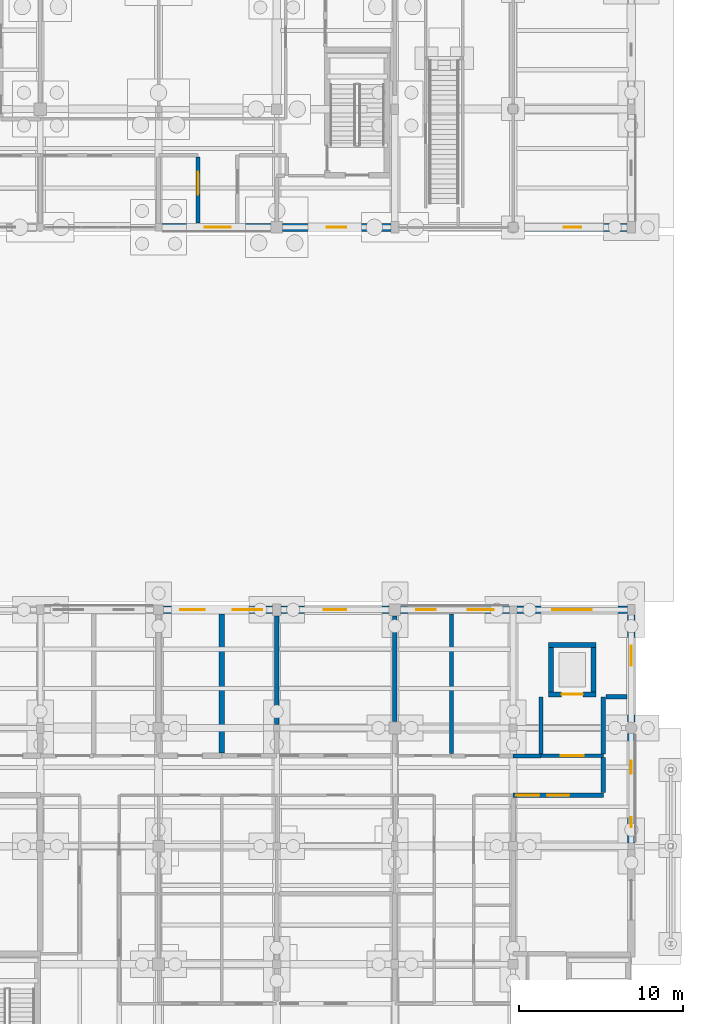
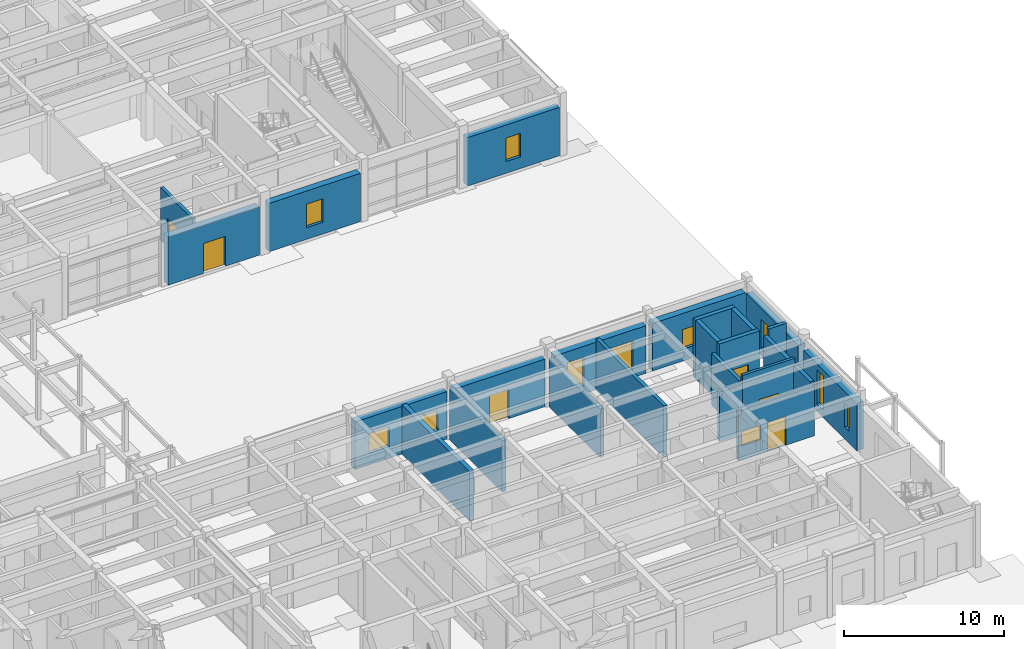
# One storey, part 119 of 143: 25 walls, 11 windows, 6 doors, 17 openings.
"""IFC4 building model written with IfcOpenShell, lengths in metres."""

from ifc_helpers import new_model, si_unit, direction, frame, frame_2d, origin, place, context, subcontext, project, spatial, rectangle, extrude, material, layer, layer_set, type_object, element, fill, save


model = new_model("IFC4")

# Units and contexts
model_context = context("Model", 3, precision=1e-05, world=origin(), true_north=direction((0.0, 1.0)))
body_context = subcontext(model_context, "Body", "Model", "MODEL_VIEW")
ifc_project = project(units=[si_unit("LENGTHUNIT", "METRE"), si_unit("AREAUNIT", "SQUARE_METRE"), si_unit("VOLUMEUNIT", "CUBIC_METRE"), si_unit("PLANEANGLEUNIT", "RADIAN"), si_unit("MASSUNIT", "GRAM", prefix="KILO")], contexts=[model_context])

# Site, building, storey
site_placement = place(None, origin())
site = spatial("IfcSite", under=ifc_project, at=site_placement, CompositionType="ELEMENT")
building_placement = place(site_placement, origin())
building = spatial("IfcBuilding", under=site, at=building_placement, Name="Steenspoor Specialist Clinic", CompositionType="ELEMENT")
storey_placement = place(building_placement, origin())
storey = spatial("IfcBuildingStorey", under=building, at=storey_placement, Name="L00", CompositionType="ELEMENT", Elevation=0.0)

# Wall, openings, windows
ifc_material_1 = material(Name="Volcanic basalt ashlar masonry", Category="masonry")
ifc_layer_1 = layer(ifc_material_1, 0.47998046875)
ifc_layer_set_1 = layer_set([ifc_layer_1], Name="Volcanic basalt ashlar masonry")
wall_type_1 = type_object("IfcWallType", Name="W-BASALT-480", PredefinedType="SOLIDWALL", material=ifc_layer_set_1)
wall_1_placement = place(storey_placement, frame((132.699951171875, 41.85009765625, 0.0), z_axis=(0.0, 0.0, 1.0), x_axis=(1.0, 0.0, 0.0)))
wall_1 = element("IfcWall", 1, at=wall_1_placement, inside=storey, type_object=wall_type_1, Name="Exterior Brick Wall EW-V2-L00-0049", PredefinedType="SOLIDWALL", context=body_context, shape_type="SweptSolid", body=[
    extrude(rectangle(XDim=6.650146484375, YDim=0.47998046875, at=frame_2d((3.3251953125, 0.0))), origin(), (0.0, 0.0, 1.0), 3.639892578125),
])
opening_1_placement = place(wall_1_placement, frame((1.014892578125, 0.0, 0.89990234375)))
opening_1 = element("IfcOpeningElement", 2, at=opening_1_placement, cuts=wall_1, Name="Opening WN-12", PredefinedType="OPENING", context=body_context, shape_type="SweptSolid", body=[
    extrude(rectangle(XDim=1.5, YDim=1.5, at=frame_2d((0.75, 0.75))), frame((0.0, 0.25, 0.0), z_axis=(0.0, -1.0, 0.0), x_axis=(1.0, 0.0, 0.0)), (0.0, 0.0, 1.0), 0.5),
])
opening_2_placement = place(wall_1_placement, frame((4.2099609375, 0.0, 0.89990234375)))
opening_2 = element("IfcOpeningElement", 3, at=opening_2_placement, cuts=wall_1, Name="Opening WN-13", PredefinedType="OPENING", context=body_context, shape_type="SweptSolid", body=[
    extrude(rectangle(XDim=1.800048828125, YDim=1.5, at=frame_2d((0.89990234375, 0.75))), frame((0.0, 0.25, 0.0), z_axis=(0.0, -1.0, 0.0), x_axis=(1.0, 0.0, 0.0)), (0.0, 0.0, 1.0), 0.5),
])
ifc_material_2 = material(Name="Thermally broken aluminium and low-emissivity glass", Category="aluminium")
window_type_1 = type_object("IfcWindowType", Name="WN-EXT-150X150", PartitioningType="SINGLE_PANEL", PredefinedType="WINDOW", material=ifc_material_2)
window_1_placement = place(opening_1_placement, origin())
window_1 = element("IfcWindow", 4, at=window_1_placement, inside=storey, type_object=window_type_1, Name="Window 0058", OverallHeight=1.5, OverallWidth=1.5, PartitioningType="SINGLE_PANEL", PredefinedType="WINDOW", context=body_context, shape_type="SweptSolid", body=[
    extrude(rectangle(XDim=1.5, YDim=1.5, at=frame_2d((0.75, 0.75))), frame((0.0, 0.030029296875, 0.0), z_axis=(0.0, -1.0, 0.0), x_axis=(1.0, 0.0, 0.0)), (0.0, 0.0, 1.0), 0.06005859375),
])
fill(opening_1, window_1)
window_type_2 = type_object("IfcWindowType", Name="WN-EXT-180X150", PartitioningType="SINGLE_PANEL", PredefinedType="WINDOW", material=ifc_material_2)
window_2_placement = place(opening_2_placement, origin())
window_2 = element("IfcWindow", 5, at=window_2_placement, inside=storey, type_object=window_type_2, Name="Window 0059", OverallHeight=1.5, OverallWidth=1.800048828125, PartitioningType="SINGLE_PANEL", PredefinedType="WINDOW", context=body_context, shape_type="SweptSolid", body=[
    extrude(rectangle(XDim=1.800048828125, YDim=1.5, at=frame_2d((0.89990234375, 0.75))), frame((0.0, 0.030029296875, 0.0), z_axis=(0.0, -1.0, 0.0), x_axis=(1.0, 0.0, 0.0)), (0.0, 0.0, 1.0), 0.06005859375),
])
fill(opening_2, window_2)

# Wall, opening, door
wall_2_placement = place(storey_placement, frame((139.85009765625, 41.85009765625, 0.0), z_axis=(0.0, 0.0, 1.0), x_axis=(1.0, 0.0, 0.0)))
wall_2 = element("IfcWall", 6, at=wall_2_placement, inside=storey, type_object=wall_type_1, Name="Exterior Brick Wall EW-V2-L00-0050", PredefinedType="SOLIDWALL", context=body_context, shape_type="SweptSolid", body=[
    extrude(rectangle(XDim=6.599853515625, YDim=0.47998046875, at=frame_2d((3.2998046875, 0.0))), origin(), (0.0, 0.0, 1.0), 3.639892578125),
])
opening_3_placement = place(wall_2_placement, frame((2.60009765625, 0.0, 0.0)))
opening_3 = element("IfcOpeningElement", 7, at=opening_3_placement, cuts=wall_2, Name="Opening ED15", PredefinedType="OPENING", context=body_context, shape_type="SweptSolid", body=[
    extrude(rectangle(XDim=1.39990234375, YDim=2.25, at=frame_2d((0.699951171875, 1.125))), frame((0.0, 0.25, 0.0), z_axis=(0.0, -1.0, 0.0), x_axis=(1.0, 0.0, 0.0)), (0.0, 0.0, 1.0), 0.5),
])
ifc_material_3 = material(Name="Painted galvanised steel door", Category="steel")
door_type_1 = type_object("IfcDoorType", Name="DT-EXIT-140X225", OperationType="NOTDEFINED", PredefinedType="DOOR", material=ifc_material_3)
door_1_placement = place(opening_3_placement, origin())
door_1 = element("IfcDoor", 8, at=door_1_placement, inside=storey, type_object=door_type_1, Name="Main Pedestrian Entrance Exit ED15", OperationType="SINGLE_SWING_RIGHT", OverallHeight=2.25, OverallWidth=1.39990234375, PredefinedType="DOOR", context=body_context, shape_type="SweptSolid", body=[
    extrude(rectangle(XDim=1.39990234375, YDim=2.25, at=frame_2d((0.699951171875, 1.125))), frame((0.0, 0.02490234375, 0.0), z_axis=(0.0, -1.0, 0.0), x_axis=(1.0, 0.0, 0.0)), (0.0, 0.0, 1.0), 0.050048828125),
])
fill(opening_3, door_1)

# Wall, openings, windows
wall_3_placement = place(storey_placement, frame((147.14990234375, 41.85009765625, 0.0), z_axis=(0.0, 0.0, 1.0), x_axis=(1.0, 0.0, 0.0)))
wall_3 = element("IfcWall", 9, at=wall_3_placement, inside=storey, type_object=wall_type_1, Name="Exterior Brick Wall EW-V2-L00-0051", PredefinedType="SOLIDWALL", context=body_context, shape_type="SweptSolid", body=[
    extrude(rectangle(XDim=6.625, YDim=0.47998046875, at=frame_2d((3.3125, 0.0))), origin(), (0.0, 0.0, 1.0), 3.639892578125),
])
opening_4_placement = place(wall_3_placement, frame((0.93994140625, 0.0, 0.60009765625)))
opening_4 = element("IfcOpeningElement", 10, at=opening_4_placement, cuts=wall_3, Name="Opening WN-15", PredefinedType="OPENING", context=body_context, shape_type="SweptSolid", body=[
    extrude(rectangle(XDim=1.199951171875, YDim=2.199951171875, at=frame_2d((0.60009765625, 1.10009765625))), frame((0.0, 0.25, 0.0), z_axis=(0.0, -1.0, 0.0), x_axis=(1.0, 0.0, 0.0)), (0.0, 0.0, 1.0), 0.5),
])
opening_5_placement = place(wall_3_placement, frame((4.072509765625, 0.0, 0.60009765625)))
opening_5 = element("IfcOpeningElement", 11, at=opening_5_placement, cuts=wall_3, Name="Opening WN-16", PredefinedType="OPENING", context=body_context, shape_type="SweptSolid", body=[
    extrude(rectangle(XDim=1.60009765625, YDim=2.199951171875, at=frame_2d((0.800048828125, 1.10009765625))), frame((0.0, 0.25, 0.0), z_axis=(0.0, -1.0, 0.0), x_axis=(1.0, 0.0, 0.0)), (0.0, 0.0, 1.0), 0.5),
])
window_type_3 = type_object("IfcWindowType", Name="WN-EXT-120X220", PartitioningType="SINGLE_PANEL", PredefinedType="WINDOW", material=ifc_material_2)
window_3_placement = place(opening_4_placement, origin())
window_3 = element("IfcWindow", 12, at=window_3_placement, inside=storey, type_object=window_type_3, Name="Window 0060", OverallHeight=2.199951171875, OverallWidth=1.199951171875, PartitioningType="SINGLE_PANEL", PredefinedType="WINDOW", context=body_context, shape_type="SweptSolid", body=[
    extrude(rectangle(XDim=1.199951171875, YDim=2.199951171875, at=frame_2d((0.60009765625, 1.10009765625))), frame((0.0, 0.030029296875, 0.0), z_axis=(0.0, -1.0, 0.0), x_axis=(1.0, 0.0, 0.0)), (0.0, 0.0, 1.0), 0.06005859375),
])
fill(opening_4, window_3)
window_type_4 = type_object("IfcWindowType", Name="WN-EXT-160X220", PartitioningType="SINGLE_PANEL", PredefinedType="WINDOW", material=ifc_material_2)
window_4_placement = place(opening_5_placement, origin())
window_4 = element("IfcWindow", 13, at=window_4_placement, inside=storey, type_object=window_type_4, Name="Window 0061", OverallHeight=2.199951171875, OverallWidth=1.60009765625, PartitioningType="SINGLE_PANEL", PredefinedType="WINDOW", context=body_context, shape_type="SweptSolid", body=[
    extrude(rectangle(XDim=1.60009765625, YDim=2.199951171875, at=frame_2d((0.800048828125, 1.10009765625))), frame((0.0, 0.030029296875, 0.0), z_axis=(0.0, -1.0, 0.0), x_axis=(1.0, 0.0, 0.0)), (0.0, 0.0, 1.0), 0.06005859375),
])
fill(opening_5, window_4)

# Wall, opening, window
wall_4_placement = place(storey_placement, frame((154.22509765625, 41.85009765625, 0.0), z_axis=(0.0, 0.0, 1.0), x_axis=(1.0, 0.0, 0.0)))
wall_4 = element("IfcWall", 14, at=wall_4_placement, inside=storey, type_object=wall_type_1, Name="Exterior Brick Wall EW-V2-L00-0052", PredefinedType="SOLIDWALL", context=body_context, shape_type="SweptSolid", body=[
    extrude(rectangle(XDim=6.75, YDim=0.47998046875, at=frame_2d((3.375, 0.0))), origin(), (0.0, 0.0, 1.0), 3.639892578125),
])
opening_6_placement = place(wall_4_placement, frame((2.175048828125, 0.0, 0.89990234375)))
opening_6 = element("IfcOpeningElement", 15, at=opening_6_placement, cuts=wall_4, Name="Opening WN-14", PredefinedType="OPENING", context=body_context, shape_type="SweptSolid", body=[
    extrude(rectangle(XDim=2.39990234375, YDim=1.5, at=frame_2d((1.199951171875, 0.75))), frame((0.0, 0.25, 0.0), z_axis=(0.0, -1.0, 0.0), x_axis=(1.0, 0.0, 0.0)), (0.0, 0.0, 1.0), 0.5),
])
window_type_5 = type_object("IfcWindowType", Name="WN-EXT-240X150", PartitioningType="SINGLE_PANEL", PredefinedType="WINDOW", material=ifc_material_2)
window_5_placement = place(opening_6_placement, origin())
window_5 = element("IfcWindow", 16, at=window_5_placement, inside=storey, type_object=window_type_5, Name="Window 0062", OverallHeight=1.5, OverallWidth=2.39990234375, PartitioningType="SINGLE_PANEL", PredefinedType="WINDOW", context=body_context, shape_type="SweptSolid", body=[
    extrude(rectangle(XDim=2.39990234375, YDim=1.5, at=frame_2d((1.199951171875, 0.75))), frame((0.0, 0.030029296875, 0.0), z_axis=(0.0, -1.0, 0.0), x_axis=(1.0, 0.0, 0.0)), (0.0, 0.0, 1.0), 0.06005859375),
])
fill(opening_6, window_5)

wall_5_placement = place(storey_placement, frame((161.199951171875, 41.52490234375, 0.0), z_axis=(0.0, 0.0, 1.0), x_axis=(0.0, -1.0, 0.0)))
wall_5 = element("IfcWall", 17, at=wall_5_placement, inside=storey, type_object=wall_type_1, Name="Exterior Brick Wall EW-V2-L00-0053", PredefinedType="SOLIDWALL", context=body_context, shape_type="SweptSolid", body=[
    extrude(rectangle(XDim=6.52490234375, YDim=0.47998046875, at=frame_2d((3.262451171875, 0.0))), origin(), (0.0, 0.0, 1.0), 3.639892578125),
])
opening_7_placement = place(wall_5_placement, frame((1.87744140625, 0.0, 0.60009765625)))
opening_7 = element("IfcOpeningElement", 18, at=opening_7_placement, cuts=wall_5, Name="Opening WN-15", PredefinedType="OPENING", context=body_context, shape_type="SweptSolid", body=[
    extrude(rectangle(XDim=1.199951171875, YDim=2.199951171875, at=frame_2d((0.60009765625, 1.10009765625))), frame((0.0, 0.25, 0.0), z_axis=(0.0, -1.0, 0.0), x_axis=(1.0, 0.0, 0.0)), (0.0, 0.0, 1.0), 0.5),
])
window_6_placement = place(opening_7_placement, origin())
window_6 = element("IfcWindow", 19, at=window_6_placement, inside=storey, type_object=window_type_3, Name="Window 0063", OverallHeight=2.199951171875, OverallWidth=1.199951171875, PartitioningType="SINGLE_PANEL", PredefinedType="WINDOW", context=body_context, shape_type="SweptSolid", body=[
    extrude(rectangle(XDim=1.199951171875, YDim=2.199951171875, at=frame_2d((0.60009765625, 1.10009765625))), frame((0.0, 0.030029296875, 0.0), z_axis=(0.0, -1.0, 0.0), x_axis=(1.0, 0.0, 0.0)), (0.0, 0.0, 1.0), 0.06005859375),
])
fill(opening_7, window_6)

# Wall, openings, windows
wall_6_placement = place(storey_placement, frame((161.199951171875, 34.300048828125, 0.0), z_axis=(0.0, 0.0, 1.0), x_axis=(0.0, -1.0, 0.0)))
wall_6 = element("IfcWall", 20, at=wall_6_placement, inside=storey, type_object=wall_type_1, Name="Exterior Brick Wall EW-V2-L00-0054", PredefinedType="SOLIDWALL", context=body_context, shape_type="SweptSolid", body=[
    extrude(rectangle(XDim=6.650146484375, YDim=0.47998046875, at=frame_2d((3.3251953125, 0.0))), origin(), (0.0, 0.0, 1.0), 3.639892578125),
])
opening_8_placement = place(wall_6_placement, frame((1.64990234375, 0.0, 0.60009765625)))
opening_8 = element("IfcOpeningElement", 21, at=opening_8_placement, cuts=wall_6, Name="Opening WN-24", PredefinedType="OPENING", context=body_context, shape_type="SweptSolid", body=[
    extrude(rectangle(XDim=0.800048828125, YDim=2.60009765625, at=frame_2d((0.39990234375, 1.300048828125))), frame((0.0, 0.25, 0.0), z_axis=(0.0, -1.0, 0.0), x_axis=(1.0, 0.0, 0.0)), (0.0, 0.0, 1.0), 0.5),
])
opening_9_placement = place(wall_6_placement, frame((5.094970703125, 0.0, 0.89990234375)))
opening_9 = element("IfcOpeningElement", 22, at=opening_9_placement, cuts=wall_6, Name="Opening WN-01", PredefinedType="OPENING", context=body_context, shape_type="SweptSolid", body=[
    extrude(rectangle(XDim=0.60009765625, YDim=1.800048828125, at=frame_2d((0.300048828125, 0.89990234375))), frame((0.0, 0.25, 0.0), z_axis=(0.0, -1.0, 0.0), x_axis=(1.0, 0.0, 0.0)), (0.0, 0.0, 1.0), 0.5),
])
window_type_6 = type_object("IfcWindowType", Name="WN-EXT-060X180", PartitioningType="SINGLE_PANEL", PredefinedType="WINDOW", material=ifc_material_2)
window_7_placement = place(opening_9_placement, origin())
window_7 = element("IfcWindow", 23, at=window_7_placement, inside=storey, type_object=window_type_6, Name="Window 0065", OverallHeight=1.800048828125, OverallWidth=0.60009765625, PartitioningType="SINGLE_PANEL", PredefinedType="WINDOW", context=body_context, shape_type="SweptSolid", body=[
    extrude(rectangle(XDim=0.60009765625, YDim=1.800048828125, at=frame_2d((0.300048828125, 0.89990234375))), frame((0.0, 0.030029296875, 0.0), z_axis=(0.0, -1.0, 0.0), x_axis=(1.0, 0.0, 0.0)), (0.0, 0.0, 1.0), 0.06005859375),
])
fill(opening_9, window_7)
window_type_7 = type_object("IfcWindowType", Name="WN-EXT-080X260", PartitioningType="SINGLE_PANEL", PredefinedType="WINDOW", material=ifc_material_2)
window_8_placement = place(opening_8_placement, origin())
window_8 = element("IfcWindow", 24, at=window_8_placement, inside=storey, type_object=window_type_7, Name="Window 0064", OverallHeight=2.60009765625, OverallWidth=0.800048828125, PartitioningType="SINGLE_PANEL", PredefinedType="WINDOW", context=body_context, shape_type="SweptSolid", body=[
    extrude(rectangle(XDim=0.800048828125, YDim=2.60009765625, at=frame_2d((0.39990234375, 1.300048828125))), frame((0.0, 0.030029296875, 0.0), z_axis=(0.0, -1.0, 0.0), x_axis=(1.0, 0.0, 0.0)), (0.0, 0.0, 1.0), 0.06005859375),
])
fill(opening_8, window_8)

# Wall, opening, window
wall_7_placement = place(storey_placement, frame((160.949951171875, 65.14990234375, 0.0), z_axis=(0.0, 0.0, 1.0), x_axis=(-1.0, 0.0, 0.0)))
wall_7 = element("IfcWall", 25, at=wall_7_placement, inside=storey, type_object=wall_type_1, Name="Exterior Brick Wall EW-V6-L00-0295", PredefinedType="SOLIDWALL", context=body_context, shape_type="SweptSolid", body=[
    extrude(rectangle(XDim=6.64990234375, YDim=0.47998046875, at=frame_2d((3.324951171875, 0.0))), origin(), (0.0, 0.0, 1.0), 3.699951171875),
])
opening_10_placement = place(wall_7_placement, frame((2.800048828125, 0.0, 0.89990234375)))
opening_10 = element("IfcOpeningElement", 26, at=opening_10_placement, cuts=wall_7, Name="Opening WN-04", PredefinedType="OPENING", context=body_context, shape_type="SweptSolid", body=[
    extrude(rectangle(XDim=1.050048828125, YDim=1.800048828125, at=frame_2d((0.52490234375, 0.89990234375))), frame((0.0, 0.25, 0.0), z_axis=(0.0, -1.0, 0.0), x_axis=(1.0, 0.0, 0.0)), (0.0, 0.0, 1.0), 0.5),
])
window_type_8 = type_object("IfcWindowType", Name="WN-EXT-105X180", PartitioningType="SINGLE_PANEL", PredefinedType="WINDOW", material=ifc_material_2)
window_9_placement = place(opening_10_placement, origin())
window_9 = element("IfcWindow", 27, at=window_9_placement, inside=storey, type_object=window_type_8, Name="Window 0316", OverallHeight=1.800048828125, OverallWidth=1.050048828125, PartitioningType="SINGLE_PANEL", PredefinedType="WINDOW", context=body_context, shape_type="SweptSolid", body=[
    extrude(rectangle(XDim=1.050048828125, YDim=1.800048828125, at=frame_2d((0.52490234375, 0.89990234375))), frame((0.0, 0.030029296875, 0.0), z_axis=(0.0, -1.0, 0.0), x_axis=(1.0, 0.0, 0.0)), (0.0, 0.0, 1.0), 0.06005859375),
])
fill(opening_10, window_9)

wall_8_placement = place(storey_placement, frame((146.550048828125, 65.14990234375, 0.0), z_axis=(0.0, 0.0, 1.0), x_axis=(-1.0, 0.0, 0.0)))
wall_8 = element("IfcWall", 28, at=wall_8_placement, inside=storey, type_object=wall_type_1, Name="Exterior Brick Wall EW-V6-L00-0296", PredefinedType="SOLIDWALL", context=body_context, shape_type="SweptSolid", body=[
    extrude(rectangle(XDim=6.60009765625, YDim=0.47998046875, at=frame_2d((3.300048828125, 0.0))), origin(), (0.0, 0.0, 1.0), 3.699951171875),
])
opening_11_placement = place(wall_8_placement, frame((2.699951171875, 0.0, 0.89990234375)))
opening_11 = element("IfcOpeningElement", 29, at=opening_11_placement, cuts=wall_8, Name="Opening WN-05", PredefinedType="OPENING", context=body_context, shape_type="SweptSolid", body=[
    extrude(rectangle(XDim=1.199951171875, YDim=1.800048828125, at=frame_2d((0.60009765625, 0.89990234375))), frame((0.0, 0.25, 0.0), z_axis=(0.0, -1.0, 0.0), x_axis=(1.0, 0.0, 0.0)), (0.0, 0.0, 1.0), 0.5),
])
window_type_9 = type_object("IfcWindowType", Name="WN-EXT-120X180", PartitioningType="SINGLE_PANEL", PredefinedType="WINDOW", material=ifc_material_2)
window_10_placement = place(opening_11_placement, origin())
window_10 = element("IfcWindow", 30, at=window_10_placement, inside=storey, type_object=window_type_9, Name="Window 0317", OverallHeight=1.800048828125, OverallWidth=1.199951171875, PartitioningType="SINGLE_PANEL", PredefinedType="WINDOW", context=body_context, shape_type="SweptSolid", body=[
    extrude(rectangle(XDim=1.199951171875, YDim=1.800048828125, at=frame_2d((0.60009765625, 0.89990234375))), frame((0.0, 0.030029296875, 0.0), z_axis=(0.0, -1.0, 0.0), x_axis=(1.0, 0.0, 0.0)), (0.0, 0.0, 1.0), 0.06005859375),
])
fill(opening_11, window_10)

# Wall, opening, door
wall_9_placement = place(storey_placement, frame((139.25, 65.14990234375, 0.0), z_axis=(0.0, 0.0, 1.0), x_axis=(-1.0, 0.0, 0.0)))
wall_9 = element("IfcWall", 31, at=wall_9_placement, inside=storey, type_object=wall_type_1, Name="Exterior Brick Wall EW-V6-L00-0297", PredefinedType="SOLIDWALL", context=body_context, shape_type="SweptSolid", body=[
    extrude(rectangle(XDim=6.625, YDim=0.47998046875, at=frame_2d((3.3125, 0.0))), origin(), (0.0, 0.0, 1.0), 3.699951171875),
])
opening_12_placement = place(wall_9_placement, frame((2.449951171875, 0.0, 0.0)))
opening_12 = element("IfcOpeningElement", 32, at=opening_12_placement, cuts=wall_9, Name="Opening ED39", PredefinedType="OPENING", context=body_context, shape_type="SweptSolid", body=[
    extrude(rectangle(XDim=1.60009765625, YDim=2.300048828125, at=frame_2d((0.800048828125, 1.14990234375))), frame((0.0, 0.25, 0.0), z_axis=(0.0, -1.0, 0.0), x_axis=(1.0, 0.0, 0.0)), (0.0, 0.0, 1.0), 0.5),
])
ifc_material_4 = material(Name="Anodised aluminium and safety glass", Category="aluminium")
door_type_2 = type_object("IfcDoorType", Name="DT-EXIT-160X230", OperationType="NOTDEFINED", PredefinedType="DOOR", material=ifc_material_4)
door_2_placement = place(opening_12_placement, origin())
door_2 = element("IfcDoor", 33, at=door_2_placement, inside=storey, type_object=door_type_2, Name="Main Pedestrian Entrance Exit ED39", OperationType="DOUBLE_DOOR_SINGLE_SWING", OverallHeight=2.300048828125, OverallWidth=1.60009765625, PredefinedType="DOOR", context=body_context, shape_type="SweptSolid", body=[
    extrude(rectangle(XDim=1.60009765625, YDim=2.300048828125, at=frame_2d((0.800048828125, 1.14990234375))), frame((0.0, 0.02490234375, 0.0), z_axis=(0.0, -1.0, 0.0), x_axis=(1.0, 0.0, 0.0)), (0.0, 0.0, 1.0), 0.050048828125),
])
fill(opening_12, door_2)

ifc_material_5 = material(Name="Fire-rated clay blockwork masonry", Category="masonry")
ifc_layer_2 = layer(ifc_material_5, 0.219970703125)
ifc_layer_set_2 = layer_set([ifc_layer_2], Name="Fire-rated clay blockwork masonry")
wall_type_2 = type_object("IfcWallType", Name="W-FIRE-220", PredefinedType="PARTITIONING", material=ifc_layer_set_2)
wall_10_placement = place(storey_placement, frame((134.800048828125, 65.405029296875, 0.0), z_axis=(0.0, 0.0, 1.0), x_axis=(0.0, 1.0, 0.0)))
wall_10 = element("IfcWall", 34, at=wall_10_placement, inside=storey, type_object=wall_type_2, Name="Interior Partition IW-V6-L00-0094", PredefinedType="PARTITIONING", context=body_context, shape_type="SweptSolid", body=[
    extrude(rectangle(XDim=4.02001953125, YDim=0.219970703125, at=frame_2d((2.010009765625, 0.0))), origin(), (0.0, 0.0, 1.0), 4.044921875),
])
opening_13_placement = place(wall_10_placement, frame((1.729248046875, 0.0, 0.0)))
opening_13 = element("IfcOpeningElement", 35, at=opening_13_placement, cuts=wall_10, Name="Opening D0403", PredefinedType="OPENING", context=body_context, shape_type="SweptSolid", body=[
    extrude(rectangle(XDim=1.39990234375, YDim=2.199951171875, at=frame_2d((0.699951171875, 1.10009765625))), frame((0.0, 0.1201171875, 0.0), z_axis=(0.0, -1.0, 0.0), x_axis=(1.0, 0.0, 0.0)), (0.0, 0.0, 1.0), 0.239990234375),
])
ifc_material_6 = material(Name="Fire-rated clinical laminate door", Category="steel")
door_type_3 = type_object("IfcDoorType", Name="DT-LAB-140X220", OperationType="NOTDEFINED", PredefinedType="DOOR", material=ifc_material_6)
door_3_placement = place(opening_13_placement, origin())
door_3 = element("IfcDoor", 36, at=door_3_placement, inside=storey, type_object=door_type_3, Name="Clinical Door D0403", OperationType="SINGLE_SWING_RIGHT", OverallHeight=2.199951171875, OverallWidth=1.39990234375, PredefinedType="DOOR", context=body_context, shape_type="SweptSolid", body=[
    extrude(rectangle(XDim=1.39990234375, YDim=2.199951171875, at=frame_2d((0.699951171875, 1.10009765625))), frame((0.0, 0.02490234375, 0.0), z_axis=(0.0, -1.0, 0.0), x_axis=(1.0, 0.0, 0.0)), (0.0, 0.0, 1.0), 0.050048828125),
])
fill(opening_13, door_3)

# Walls
ifc_material_7 = material(Name="Acoustic and RF shielded masonry partition", Category="masonry")
ifc_layer_3 = layer(ifc_material_7, 0.320068359375)
ifc_layer_set_3 = layer_set([ifc_layer_3], Name="Acoustic and RF shielded masonry partition")
wall_type_3 = type_object("IfcWallType", Name="W-MRI-320", PredefinedType="PARTITIONING", material=ifc_layer_set_3)
wall_11_placement = place(storey_placement, frame((136.25, 33.125, 0.0), z_axis=(0.0, 0.0, 1.0), x_axis=(0.0, 1.0, 0.0)))
element("IfcWall", 37, at=wall_11_placement, inside=storey, type_object=wall_type_3, Name="Interior Partition IW-V2-L00-0407", PredefinedType="PARTITIONING", context=body_context, shape_type="SweptSolid", body=[
    extrude(rectangle(XDim=8.469970703125, YDim=0.320068359375, at=frame_2d((4.23486328125, 0.0))), origin(), (0.0, 0.0, 1.0), 3.794921875),
])
ifc_material_8 = material(Name="Lead-lined radiation brick partition", Category="masonry")
ifc_layer_4 = layer(ifc_material_8, 0.280029296875)
ifc_layer_set_4 = layer_set([ifc_layer_4], Name="Lead-lined radiation brick partition")
wall_type_4 = type_object("IfcWallType", Name="W-RAD-280", PredefinedType="PARTITIONING", material=ifc_layer_set_4)
wall_12_placement = place(storey_placement, frame((159.5, 33.06494140625, 0.0), z_axis=(0.0, 0.0, 1.0), x_axis=(0.0, 1.0, 0.0)))
element("IfcWall", 38, at=wall_12_placement, inside=storey, type_object=wall_type_4, Name="Interior Partition IW-V2-L00-0020", PredefinedType="PARTITIONING", context=body_context, shape_type="SweptSolid", body=[
    extrude(rectangle(XDim=3.485107421875, YDim=0.280029296875, at=frame_2d((1.74267578125, 0.0))), origin(), (0.0, 0.0, 1.0), 3.965087890625),
])

# Wall, openings, door, window
wall_13_placement = place(storey_placement, frame((154.0, 30.550048828125, 0.0), z_axis=(0.0, 0.0, 1.0), x_axis=(1.0, 0.0, 0.0)))
wall_13 = element("IfcWall", 39, at=wall_13_placement, inside=storey, type_object=wall_type_4, Name="Interior Partition IW-V2-L00-0064", PredefinedType="PARTITIONING", context=body_context, shape_type="SweptSolid", body=[
    extrude(rectangle(XDim=5.5, YDim=0.280029296875, at=frame_2d((2.75, 0.0))), origin(), (0.0, 0.0, 1.0), 3.794921875),
])
opening_14_placement = place(wall_13_placement, frame((2.074951171875, 0.0, 0.0)))
opening_14 = element("IfcOpeningElement", 40, at=opening_14_placement, cuts=wall_13, Name="Opening D0090", PredefinedType="OPENING", context=body_context, shape_type="SweptSolid", body=[
    extrude(rectangle(XDim=1.35009765625, YDim=2.199951171875, at=frame_2d((0.675048828125, 1.10009765625))), frame((0.0, 0.14990234375, 0.0), z_axis=(0.0, -1.0, 0.0), x_axis=(1.0, 0.0, 0.0)), (0.0, 0.0, 1.0), 0.300048828125),
])
opening_15_placement = place(wall_13_placement, frame((0.199951171875, 0.0, 1.050048828125)))
opening_15 = element("IfcOpeningElement", 41, at=opening_15_placement, cuts=wall_13, Name="Opening IWN-01", PredefinedType="OPENING", context=body_context, shape_type="SweptSolid", body=[
    extrude(rectangle(XDim=1.39990234375, YDim=1.10009765625, at=frame_2d((0.699951171875, 0.550048828125))), frame((0.0, 0.14990234375, 0.0), z_axis=(0.0, -1.0, 0.0), x_axis=(1.0, 0.0, 0.0)), (0.0, 0.0, 1.0), 0.300048828125),
])
ifc_material_9 = material(Name="Lead-lined radiation clinical door", Category="steel")
door_type_4 = type_object("IfcDoorType", Name="DT-RAD-135X220", OperationType="NOTDEFINED", PredefinedType="DOOR", material=ifc_material_9)
door_4_placement = place(opening_14_placement, origin())
door_4 = element("IfcDoor", 42, at=door_4_placement, inside=storey, type_object=door_type_4, Name="Clinical Door D0090", OperationType="SINGLE_SWING_LEFT", OverallHeight=2.199951171875, OverallWidth=1.35009765625, PredefinedType="DOOR", context=body_context, shape_type="SweptSolid", body=[
    extrude(rectangle(XDim=1.35009765625, YDim=2.199951171875, at=frame_2d((0.675048828125, 1.10009765625))), frame((0.0, 0.02490234375, 0.0), z_axis=(0.0, -1.0, 0.0), x_axis=(1.0, 0.0, 0.0)), (0.0, 0.0, 1.0), 0.050048828125),
])
fill(opening_14, door_4)
window_type_10 = type_object("IfcWindowType", Name="IWND-OBS-140X110", PartitioningType="SINGLE_PANEL", PredefinedType="WINDOW", material=ifc_material_2)
window_11_placement = place(opening_15_placement, origin())
window_11 = element("IfcWindow", 43, at=window_11_placement, inside=storey, type_object=window_type_10, Name="Observation Window 003", OverallHeight=1.10009765625, OverallWidth=1.39990234375, PartitioningType="SINGLE_PANEL", PredefinedType="WINDOW", context=body_context, shape_type="SweptSolid", body=[
    extrude(rectangle(XDim=1.39990234375, YDim=1.10009765625, at=frame_2d((0.699951171875, 0.550048828125))), frame((0.0, 0.030029296875, 0.0), z_axis=(0.0, -1.0, 0.0), x_axis=(1.0, 0.0, 0.0)), (0.0, 0.0, 1.0), 0.06005859375),
])
fill(opening_15, window_11)

# Walls
wall_14_placement = place(storey_placement, frame((159.5, 30.705078125, 0.0), z_axis=(0.0, 0.0, 1.0), x_axis=(0.0, 1.0, 0.0)))
element("IfcWall", 44, at=wall_14_placement, inside=storey, type_object=wall_type_4, Name="Interior Partition IW-V2-L00-0065", PredefinedType="PARTITIONING", context=body_context, shape_type="SweptSolid", body=[
    extrude(rectangle(XDim=2.1298828125, YDim=0.280029296875, at=frame_2d((1.06494140625, 0.0))), origin(), (0.0, 0.0, 1.0), 3.985107421875),
])
wall_15_placement = place(storey_placement, frame((139.60009765625, 34.864990234375, 0.0), z_axis=(0.0, 0.0, 1.0), x_axis=(0.0, 1.0, 0.0)))
element("IfcWall", 45, at=wall_15_placement, inside=storey, type_object=wall_type_4, Name="Interior Partition IW-V2-L00-0431", PredefinedType="PARTITIONING", context=body_context, shape_type="SweptSolid", body=[
    extrude(rectangle(XDim=6.6201171875, YDim=0.280029296875, at=frame_2d((3.31005859375, 0.0))), origin(), (0.0, 0.0, 1.0), 3.925048828125),
])
wall_16_placement = place(storey_placement, frame((146.800048828125, 35.0400390625, 0.0), z_axis=(0.0, 0.0, 1.0), x_axis=(0.0, 1.0, 0.0)))
element("IfcWall", 46, at=wall_16_placement, inside=storey, type_object=wall_type_4, Name="Interior Partition IW-V2-L00-0433", PredefinedType="PARTITIONING", context=body_context, shape_type="SweptSolid", body=[
    extrude(rectangle(XDim=6.445068359375, YDim=0.280029296875, at=frame_2d((3.22265625, 0.0))), origin(), (0.0, 0.0, 1.0), 3.72509765625),
])
ifc_layer_5 = layer(ifc_material_5, 0.25)
ifc_layer_set_5 = layer_set([ifc_layer_5], Name="Fire-rated clay blockwork masonry")
wall_type_5 = type_object("IfcWallType", Name="W-SHAFT-250", PredefinedType="PARTITIONING", material=ifc_layer_set_5)
wall_17_placement = place(storey_placement, frame((155.699951171875, 33.06494140625, 0.0), z_axis=(0.0, 0.0, 1.0), x_axis=(0.0, 1.0, 0.0)))
element("IfcWall", 47, at=wall_17_placement, inside=storey, type_object=wall_type_5, Name="Interior Partition IW-V2-L00-0019", PredefinedType="PARTITIONING", context=body_context, shape_type="SweptSolid", body=[
    extrude(rectangle(XDim=3.485107421875, YDim=0.25, at=frame_2d((1.74267578125, 0.0))), origin(), (0.0, 0.0, 1.0), 3.965087890625),
])
wall_18_placement = place(storey_placement, frame((154.0, 32.949951171875, 0.0), z_axis=(0.0, 0.0, 1.0), x_axis=(1.0, 0.0, 0.0)))
element("IfcWall", 48, at=wall_18_placement, inside=storey, type_object=wall_type_5, Name="Interior Partition IW-V2-L00-0058", PredefinedType="PARTITIONING", context=body_context, shape_type="SweptSolid", body=[
    extrude(rectangle(XDim=1.68505859375, YDim=0.25, at=frame_2d((0.842529296875, 0.0))), origin(), (0.0, 0.0, 1.0), 3.794921875),
])
wall_19_placement = place(storey_placement, frame((159.655029296875, 36.550048828125, 0.0), z_axis=(0.0, 0.0, 1.0), x_axis=(1.0, 0.0, 0.0)))
element("IfcWall", 49, at=wall_19_placement, inside=storey, type_object=wall_type_5, Name="Interior Partition IW-V2-L00-0412", PredefinedType="PARTITIONING", context=body_context, shape_type="SweptSolid", body=[
    extrude(rectangle(XDim=1.2900390625, YDim=0.25, at=frame_2d((0.64501953125, 0.0))), origin(), (0.0, 0.0, 1.0), 4.4599609375),
])
wall_20_placement = place(storey_placement, frame((150.25, 33.090087890625, 0.0), z_axis=(0.0, 0.0, 1.0), x_axis=(0.0, 1.0, 0.0)))
element("IfcWall", 50, at=wall_20_placement, inside=storey, type_object=wall_type_5, Name="Interior Partition IW-V2-L00-0414", PredefinedType="PARTITIONING", context=body_context, shape_type="SweptSolid", body=[
    extrude(rectangle(XDim=8.5048828125, YDim=0.25, at=frame_2d((4.25244140625, 0.0))), origin(), (0.0, 0.0, 1.0), 3.925048828125),
])

# Wall, opening, door
ifc_material_10 = material(Name="Gypsum acoustic smoke barrier board", Category="gypsum")
ifc_layer_6 = layer(ifc_material_10, 0.199951171875)
ifc_layer_set_6 = layer_set([ifc_layer_6], Name="Gypsum acoustic smoke barrier board")
wall_type_6 = type_object("IfcWallType", Name="W-SMOKE-200", PredefinedType="PARTITIONING", material=ifc_layer_set_6)
wall_21_placement = place(storey_placement, frame((155.699951171875, 32.949951171875, 0.0), z_axis=(0.0, 0.0, 1.0), x_axis=(1.0, 0.0, 0.0)))
wall_21 = element("IfcWall", 51, at=wall_21_placement, inside=storey, type_object=wall_type_6, Name="Interior Partition IW-V2-L00-0004", PredefinedType="PARTITIONING", context=body_context, shape_type="SweptSolid", body=[
    extrude(rectangle(XDim=3.800048828125, YDim=0.199951171875, at=frame_2d((1.89990234375, 0.0))), origin(), (0.0, 0.0, 1.0), 4.4599609375),
])
opening_16_placement = place(wall_21_placement, frame((1.199951171875, 0.0, 0.0)))
opening_16 = element("IfcOpeningElement", 52, at=opening_16_placement, cuts=wall_21, Name="Opening D0079", PredefinedType="OPENING", context=body_context, shape_type="SweptSolid", body=[
    extrude(rectangle(XDim=1.39990234375, YDim=2.199951171875, at=frame_2d((0.699951171875, 1.10009765625))), frame((0.0, 0.10986328125, 0.0), z_axis=(0.0, -1.0, 0.0), x_axis=(1.0, 0.0, 0.0)), (0.0, 0.0, 1.0), 0.219970703125),
])
door_5_placement = place(opening_16_placement, origin())
door_5 = element("IfcDoor", 53, at=door_5_placement, inside=storey, type_object=door_type_3, Name="Lift Lobby Fire Door D0079", OperationType="SINGLE_SWING_RIGHT", OverallHeight=2.199951171875, OverallWidth=1.39990234375, PredefinedType="DOOR", context=body_context, shape_type="SweptSolid", body=[
    extrude(rectangle(XDim=1.39990234375, YDim=2.199951171875, at=frame_2d((0.699951171875, 1.10009765625))), frame((0.0, 0.02490234375, 0.0), z_axis=(0.0, -1.0, 0.0), x_axis=(1.0, 0.0, 0.0)), (0.0, 0.0, 1.0), 0.050048828125),
])
fill(opening_16, door_5)

ifc_material_11 = material(Name="Concrete C40/50", Category="concrete")
ifc_layer_7 = layer(ifc_material_11, 0.300048828125)
ifc_layer_set_7 = layer_set([ifc_layer_7], Name="Concrete C40/50")
wall_type_7 = type_object("IfcWallType", Name="W-SW-300", PredefinedType="SHEAR", material=ifc_layer_set_7)
wall_22_placement = place(storey_placement, frame((156.14990234375, 36.699951171875, 0.0), z_axis=(0.0, 0.0, 1.0), x_axis=(1.0, 0.0, 0.0)))
wall_22 = element("IfcWall", 54, at=wall_22_placement, inside=storey, type_object=wall_type_7, Name="Lift Shaft Shear Wall SW-EL-G2-L00-S", PredefinedType="SHEAR", context=body_context, shape_type="SweptSolid", body=[
    extrude(rectangle(XDim=2.900146484375, YDim=0.300048828125, at=frame_2d((1.4501953125, 0.0))), origin(), (0.0, 0.0, 1.0), 4.4599609375),
])
opening_17_placement = place(wall_22_placement, frame((0.800048828125, 0.0, 0.0)))
opening_17 = element("IfcOpeningElement", 55, at=opening_17_placement, cuts=wall_22, Name="Opening LD33", PredefinedType="OPENING", context=body_context, shape_type="SweptSolid", body=[
    extrude(rectangle(XDim=1.300048828125, YDim=2.14990234375, at=frame_2d((0.64990234375, 1.074951171875))), frame((0.0, 0.16015625, 0.0), z_axis=(0.0, -1.0, 0.0), x_axis=(1.0, 0.0, 0.0)), (0.0, 0.0, 1.0), 0.320068359375),
])
ifc_material_12 = material(Name="Stainless steel lift landing door", Category="steel")
door_type_5 = type_object("IfcDoorType", Name="DT-LIFT-G-130", OperationType="NOTDEFINED", PredefinedType="DOOR", material=ifc_material_12)
door_6_placement = place(opening_17_placement, origin())
door_6 = element("IfcDoor", 56, at=door_6_placement, inside=storey, type_object=door_type_5, Name="Lift Landing Door LD33", OperationType="SLIDING_TO_LEFT", OverallHeight=2.14990234375, OverallWidth=1.300048828125, PredefinedType="DOOR", context=body_context, shape_type="SweptSolid", body=[
    extrude(rectangle(XDim=1.300048828125, YDim=2.14990234375, at=frame_2d((0.64990234375, 1.074951171875))), frame((0.0, 0.02490234375, 0.0), z_axis=(0.0, -1.0, 0.0), x_axis=(1.0, 0.0, 0.0)), (0.0, 0.0, 1.0), 0.050048828125),
])
fill(opening_17, door_6)

# Walls
wall_23_placement = place(storey_placement, frame((156.14990234375, 39.699951171875, 0.0), z_axis=(0.0, 0.0, 1.0), x_axis=(1.0, 0.0, 0.0)))
element("IfcWall", 57, at=wall_23_placement, inside=storey, type_object=wall_type_7, Name="Lift Shaft Shear Wall SW-EL-G2-L00-N", PredefinedType="SHEAR", context=body_context, shape_type="SweptSolid", body=[
    extrude(rectangle(XDim=2.900146484375, YDim=0.300048828125, at=frame_2d((1.4501953125, 0.0))), origin(), (0.0, 0.0, 1.0), 4.4599609375),
])
for number, where, z_axis, x_axis, name in (
    (58, (156.300048828125, 36.85009765625, 0.0), (0.0, 0.0, 1.0), (0.0, 1.0, 0.0), "Lift Shaft Shear Wall SW-EL-G2-L00-W"),
    (59, (158.89990234375, 36.85009765625, 0.0), (0.0, 0.0, 1.0), (0.0, 1.0, 0.0), "Lift Shaft Shear Wall SW-EL-G2-L00-E"),
):
    element("IfcWall", number, at=place(storey_placement, frame(where, z_axis=z_axis, x_axis=x_axis)), inside=storey, type_object=wall_type_7, Name=name, PredefinedType="SHEAR", context=body_context, shape_type="SweptSolid", body=[
        extrude(rectangle(XDim=2.699951171875, YDim=0.300048828125, at=frame_2d((1.35009765625, 0.0))), origin(), (0.0, 0.0, 1.0), 4.4599609375),
    ])

save(model, "model.ifc")
